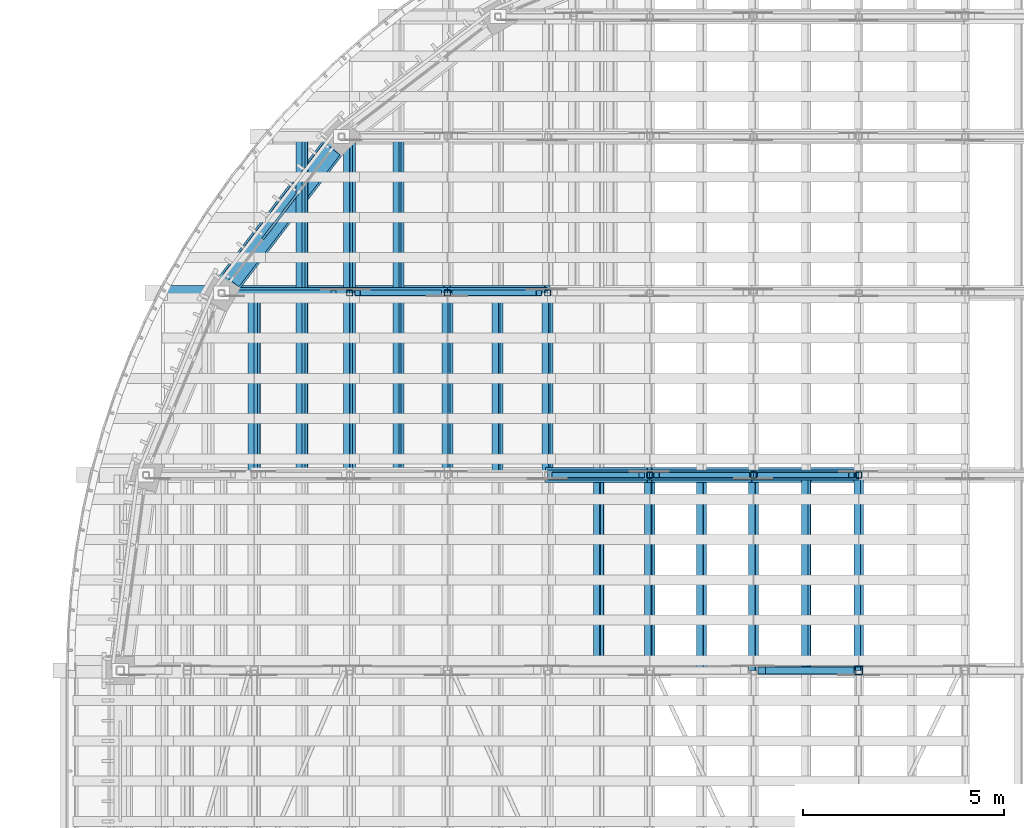
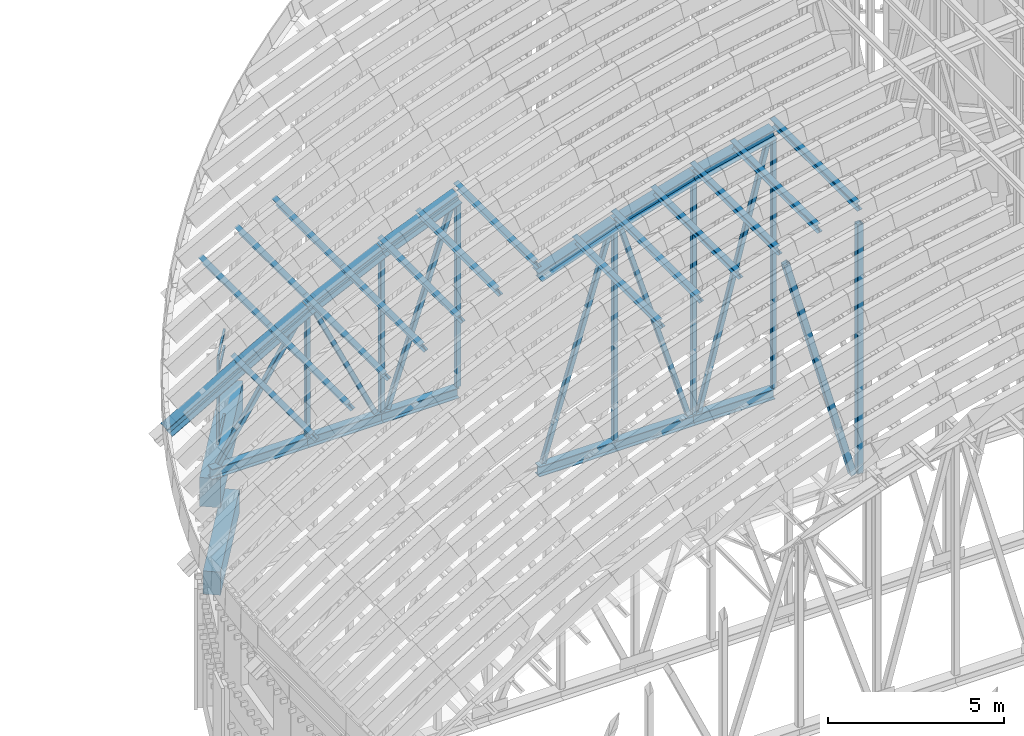
# One storey, part 21 of 105: 46 members, 2 beams, 1 element without a shape of its own.
"""IFC4 building model written with IfcOpenShell, lengths in metres."""

from ifc_helpers import new_model, si_unit, direction, frame, origin, origin_2d, place, context, subcontext, project, spatial, rectangle, hollow_rectangle, i_section, extrude, material, layer, layer_set, material_profile, profile_set, type_object, element, aggregate, save


model = new_model("IFC4")

# Units and contexts
model_context = context("Model", 3, precision=1e-05, world=origin(), true_north=direction((0.0, 1.0)))
body_context = subcontext(model_context, "Body", "Model", "MODEL_VIEW")
ifc_project = project(units=[si_unit("LENGTHUNIT", "METRE"), si_unit("AREAUNIT", "SQUARE_METRE"), si_unit("VOLUMEUNIT", "CUBIC_METRE"), si_unit("PLANEANGLEUNIT", "RADIAN"), si_unit("MASSUNIT", "GRAM", prefix="KILO")], contexts=[model_context])

# Site, building, storey
site_placement = place(None, origin())
site = spatial("IfcSite", under=ifc_project, at=site_placement, CompositionType="ELEMENT")
building_placement = place(site_placement, origin())
building = spatial("IfcBuilding", under=site, at=building_placement, Name="Wasatch Bagh Community Centre", CompositionType="ELEMENT")
storey_placement = place(building_placement, frame((0.0, 0.0, 16.800048828125)))
storey = spatial("IfcBuildingStorey", under=building, at=storey_placement, Name="L04", CompositionType="ELEMENT", Elevation=16.800048828125)

# Members
ifc_material_1 = material(Name="ASTM A500 Grade C steel", Category="steel")
ifc_material_profile_1 = material_profile(ifc_material_1, hollow_rectangle(XDim=0.15234375, YDim=0.15234375, WallThickness=0.0087890625, InnerFilletRadius=0.0087890625, OuterFilletRadius=0.017822265625, at=origin_2d()), Name="HSS6x6x3/8")
ifc_profile_set_1 = profile_set([ifc_material_profile_1], Name="ASTM A500 Grade C steel")
member_type_1 = type_object("IfcMemberType", Name="HSS6x6x3/8 brace", PredefinedType="BRACE", material=ifc_profile_set_1)
member_1_placement = place(storey_placement, frame((28.037353515625, 69.852783203125, 8.093017578125), z_axis=(0.289719392706, 0.0, 0.957111630632), x_axis=(0.0, 1.0, 0.0)))
element("IfcMember", 1, at=member_1_placement, inside=storey, type_object=member_type_1, Name="MH.TN1.WB05", PredefinedType="BRACE", context=body_context, shape_type="SweptSolid", body=[
    extrude(hollow_rectangle(XDim=0.15234375, YDim=0.15234375, WallThickness=0.0087890625, InnerFilletRadius=0.0087890625, OuterFilletRadius=0.017822265625, at=origin_2d()), origin(), (0.0, 0.0, 1.0), 7.45849609375),
])
member_2_placement = place(storey_placement, frame((32.79443359375, 69.852783203125, 8.09326171875), z_axis=(-0.291927052679, 0.0, 0.956440586714), x_axis=(0.0, -1.0, 0.0)))
element("IfcMember", 2, at=member_2_placement, inside=storey, type_object=member_type_1, Name="MH.TN1.WB06", PredefinedType="BRACE", context=body_context, shape_type="SweptSolid", body=[
    extrude(hollow_rectangle(XDim=0.15234375, YDim=0.15234375, WallThickness=0.0087890625, InnerFilletRadius=0.0087890625, OuterFilletRadius=0.017822265625, at=origin_2d()), origin(), (0.0, 0.0, 1.0), 7.6396484375),
])
member_3_placement = place(storey_placement, frame((33.14111328125, 69.852783203125, 8.090576171875), z_axis=(0.255877402939, 0.0, 0.966709239981), x_axis=(0.0, 1.0, 0.0)))
element("IfcMember", 3, at=member_3_placement, inside=storey, type_object=member_type_1, Name="MH.TN1.WB07", PredefinedType="BRACE", context=body_context, shape_type="SweptSolid", body=[
    extrude(hollow_rectangle(XDim=0.15234375, YDim=0.15234375, WallThickness=0.0087890625, InnerFilletRadius=0.0087890625, OuterFilletRadius=0.017822265625, at=origin_2d()), origin(), (0.0, 0.0, 1.0), 8.854248046875),
])
member_4_placement = place(storey_placement, frame((20.027587890625, 74.375, 8.112548828125), z_axis=(0.544069595645, 0.0, 0.83904009147), x_axis=(0.0, 1.0, 0.0)))
element("IfcMember", 4, at=member_4_placement, inside=storey, type_object=member_type_1, Name="MH.TN2.WB01", PredefinedType="BRACE", context=body_context, shape_type="SweptSolid", body=[
    extrude(hollow_rectangle(XDim=0.15234375, YDim=0.15234375, WallThickness=0.0087890625, InnerFilletRadius=0.0087890625, OuterFilletRadius=0.017822265625, at=origin_2d()), origin(), (0.0, 0.0, 1.0), 4.625),
])
member_5_placement = place(storey_placement, frame((25.15478515625, 74.375, 8.103515625), z_axis=(-0.42629430132, 0.0, 0.904584528202), x_axis=(0.0, -1.0, 0.0)))
element("IfcMember", 5, at=member_5_placement, inside=storey, type_object=member_type_1, Name="MH.TN2.WB02", PredefinedType="BRACE", context=body_context, shape_type="SweptSolid", body=[
    extrude(hollow_rectangle(XDim=0.15234375, YDim=0.15234375, WallThickness=0.0087890625, InnerFilletRadius=0.0087890625, OuterFilletRadius=0.017822265625, at=origin_2d()), origin(), (0.0, 0.0, 1.0), 4.728271484375),
])
member_6_placement = place(storey_placement, frame((25.55908203125, 74.375, 8.09521484375), z_axis=(0.318169383914, 0.0, 0.948033882907), x_axis=(0.0, 1.0, 0.0)))
element("IfcMember", 6, at=member_6_placement, inside=storey, type_object=member_type_1, Name="MH.TN2.WB03", PredefinedType="BRACE", context=body_context, shape_type="SweptSolid", body=[
    extrude(hollow_rectangle(XDim=0.15234375, YDim=0.15234375, WallThickness=0.0087890625, InnerFilletRadius=0.0087890625, OuterFilletRadius=0.017822265625, at=origin_2d()), origin(), (0.0, 0.0, 1.0), 6.5615234375),
])
ifc_material_profile_2 = material_profile(ifc_material_1, hollow_rectangle(XDim=0.15234375, YDim=0.15234375, WallThickness=0.0087890625, InnerFilletRadius=0.0087890625, OuterFilletRadius=0.017822265625, at=origin_2d()), Name="HSS6x6x3/8")
ifc_profile_set_2 = profile_set([ifc_material_profile_2], Name="ASTM A500 Grade C steel")
member_type_2 = type_object("IfcMemberType", Name="HSS6x6x3/8 post", PredefinedType="POST", material=ifc_profile_set_2)
member_7_placement = place(storey_placement, frame((30.39501953125, 69.852783203125, 8.070556640625), z_axis=(0.0, 0.0, 1.0), x_axis=(1.0, 0.0, 0.0)))
element("IfcMember", 7, at=member_7_placement, inside=storey, type_object=member_type_2, Name="MH.TN1.PS06", PredefinedType="POST", context=body_context, shape_type="SweptSolid", body=[
    extrude(hollow_rectangle(XDim=0.15234375, YDim=0.15234375, WallThickness=0.0087890625, InnerFilletRadius=0.0087890625, OuterFilletRadius=0.017822265625, at=origin_2d()), origin(), (0.0, 0.0, 1.0), 7.2509765625),
])
member_8_placement = place(storey_placement, frame((32.972412109375, 69.852783203125, 8.070556640625), z_axis=(0.0, 0.0, 1.0), x_axis=(1.0, 0.0, 0.0)))
element("IfcMember", 8, at=member_8_placement, inside=storey, type_object=member_type_2, Name="MH.TN1.PS07", PredefinedType="POST", context=body_context, shape_type="SweptSolid", body=[
    extrude(hollow_rectangle(XDim=0.15234375, YDim=0.15234375, WallThickness=0.0087890625, InnerFilletRadius=0.0087890625, OuterFilletRadius=0.017822265625, at=origin_2d()), origin(), (0.0, 0.0, 1.0), 8.013671875),
])
member_9_placement = place(storey_placement, frame((35.585205078125, 69.852783203125, 8.070556640625), z_axis=(0.0, 0.0, 1.0), x_axis=(1.0, 0.0, 0.0)))
element("IfcMember", 9, at=member_9_placement, inside=storey, type_object=member_type_2, Name="MH.TN1.PS08", PredefinedType="POST", context=body_context, shape_type="SweptSolid", body=[
    extrude(hollow_rectangle(XDim=0.15234375, YDim=0.15234375, WallThickness=0.0087890625, InnerFilletRadius=0.0087890625, OuterFilletRadius=0.017822265625, at=origin_2d()), origin(), (0.0, 0.0, 1.0), 8.64111328125),
])
member_10_placement = place(storey_placement, frame((22.943359375, 74.375, 8.070556640625), z_axis=(0.0, 0.0, 1.0), x_axis=(1.0, 0.0, 0.0)))
element("IfcMember", 10, at=member_10_placement, inside=storey, type_object=member_type_2, Name="MH.TN2.PS02", PredefinedType="POST", context=body_context, shape_type="SweptSolid", body=[
    extrude(hollow_rectangle(XDim=0.15234375, YDim=0.15234375, WallThickness=0.0087890625, InnerFilletRadius=0.0087890625, OuterFilletRadius=0.017822265625, at=origin_2d()), origin(), (0.0, 0.0, 1.0), 4.171875),
])
member_11_placement = place(storey_placement, frame((25.373779296875, 74.375, 8.070556640625), z_axis=(0.0, 0.0, 1.0), x_axis=(1.0, 0.0, 0.0)))
element("IfcMember", 11, at=member_11_placement, inside=storey, type_object=member_type_2, Name="MH.TN2.PS03", PredefinedType="POST", context=body_context, shape_type="SweptSolid", body=[
    extrude(hollow_rectangle(XDim=0.15234375, YDim=0.15234375, WallThickness=0.0087890625, InnerFilletRadius=0.0087890625, OuterFilletRadius=0.017822265625, at=origin_2d()), origin(), (0.0, 0.0, 1.0), 5.32763671875),
])
member_12_placement = place(storey_placement, frame((27.85986328125, 74.375, 8.070556640625), z_axis=(0.0, 0.0, 1.0), x_axis=(1.0, 0.0, 0.0)))
element("IfcMember", 12, at=member_12_placement, inside=storey, type_object=member_type_2, Name="MH.TN2.PS04", PredefinedType="POST", context=body_context, shape_type="SweptSolid", body=[
    extrude(hollow_rectangle(XDim=0.15234375, YDim=0.15234375, WallThickness=0.0087890625, InnerFilletRadius=0.0087890625, OuterFilletRadius=0.017822265625, at=origin_2d()), origin(), (0.0, 0.0, 1.0), 6.35498046875),
])
ifc_material_profile_3 = material_profile(ifc_material_1, hollow_rectangle(XDim=0.203125, YDim=0.203125, WallThickness=0.01171875, InnerFilletRadius=0.01171875, OuterFilletRadius=0.023681640625, at=origin_2d()), Name="HSS8x8x1/2")
ifc_profile_set_3 = profile_set([ifc_material_profile_3], Name="ASTM A500 Grade C steel")
member_type_3 = type_object("IfcMemberType", Name="HSS8x8x1/2 post", PredefinedType="POST", material=ifc_profile_set_3)
member_13_placement = place(storey_placement, frame((35.585205078125, 65.0, 8.070556640625), z_axis=(0.0, 0.0, 1.0), x_axis=(1.0, 0.0, 0.0)))
element("IfcMember", 13, at=member_13_placement, inside=storey, type_object=member_type_3, Name="MH.TA7.PS09", PredefinedType="POST", context=body_context, shape_type="SweptSolid", body=[
    extrude(hollow_rectangle(XDim=0.203125, YDim=0.203125, WallThickness=0.01171875, InnerFilletRadius=0.01171875, OuterFilletRadius=0.023681640625, at=origin_2d()), origin(), (0.0, 0.0, 1.0), 8.6220703125),
])
ifc_material_profile_4 = material_profile(ifc_material_1, hollow_rectangle(XDim=0.203125, YDim=0.203125, WallThickness=0.0087890625, InnerFilletRadius=0.0087890625, OuterFilletRadius=0.017822265625, at=origin_2d()), Name="HSS8x8x3/8")
ifc_profile_set_4 = profile_set([ifc_material_profile_4], Name="ASTM A500 Grade C steel")
member_type_4 = type_object("IfcMemberType", Name="HSS8x8x3/8 brace", PredefinedType="BRACE", material=ifc_profile_set_4)
member_14_placement = place(storey_placement, frame((35.3740234375, 65.0, 8.097900390625), z_axis=(-0.263471689833, 0.0, 0.964667128421), x_axis=(0.0, -1.0, 0.0)))
element("IfcMember", 14, at=member_14_placement, inside=storey, type_object=member_type_4, Name="MH.TA7.WB08", PredefinedType="BRACE", context=body_context, shape_type="SweptSolid", body=[
    extrude(hollow_rectangle(XDim=0.203125, YDim=0.203125, WallThickness=0.0087890625, InnerFilletRadius=0.0087890625, OuterFilletRadius=0.017822265625, at=origin_2d()), origin(), (0.0, 0.0, 1.0), 8.337890625),
])

# Curtain wall, members
ifc_material_2 = material(Name="Aluminium curtain wall frame with low-iron glass", Category="aluminium")
ifc_layer = layer(ifc_material_2, 0.10009765625)
ifc_layer_set = layer_set([ifc_layer], Name="Aluminium curtain wall frame with low-iron glass")
curtain_wall_type = type_object("IfcCurtainWallType", Name="MH end screen curtain wall 3", PredefinedType="NOTDEFINED", material=ifc_layer_set)
curtain_wall_placement = place(storey_placement, origin())
curtain_wall = element("IfcCurtainWall", 15, at=curtain_wall_placement, inside=storey, type_object=curtain_wall_type, Name="End screen 28", PredefinedType="NOTDEFINED")
ifc_material_3 = material(Name="Aluminium extrusion", Category="aluminium")
ifc_material_profile_5 = material_profile(ifc_material_3, rectangle(XDim=0.06005859375, YDim=0.159912109375, at=origin_2d()), Name="AL 60x160")
ifc_profile_set_5 = profile_set([ifc_material_profile_5], Name="Aluminium extrusion")
member_type_5 = type_object("IfcMemberType", Name="MH end screen mullion 60x160", PredefinedType="MULLION", material=ifc_profile_set_5)
member_15_placement = place(storey_placement, frame((20.833740234375, 75.771728515625, 7.699951171875), z_axis=(0.0, 0.0, 1.0), x_axis=(0.79335334027, -0.608761429036, 0.0)))
member_15 = element("IfcMember", 16, at=member_15_placement, type_object=member_type_5, Name="MH-CW3 mullion 3", PredefinedType="MULLION", context=body_context, shape_type="SweptSolid", body=[
    extrude(rectangle(XDim=0.06005859375, YDim=0.159912109375, at=origin_2d()), origin(), (0.0, 0.0, 1.0), 3.0),
])
ifc_material_profile_6 = material_profile(ifc_material_3, rectangle(XDim=0.06005859375, YDim=0.1201171875, at=origin_2d()), Name="AL 60x120")
ifc_profile_set_6 = profile_set([ifc_material_profile_6], Name="Aluminium extrusion")
member_type_6 = type_object("IfcMemberType", Name="MH end screen transom 60x120", PredefinedType="USERDEFINED", material=ifc_profile_set_6)
member_16_placement = place(storey_placement, frame((21.65185546875, 76.837890625, 7.72998046875), z_axis=(-0.608704562389, -0.793396972345, 0.0), x_axis=(0.793396972345, -0.608704562389, 0.0)))
member_16 = element("IfcMember", 17, at=member_16_placement, type_object=member_type_6, Name="MH-CW3 transom 2.1", ObjectType="TRANSOM", PredefinedType="USERDEFINED", context=body_context, shape_type="SweptSolid", body=[
    extrude(rectangle(XDim=0.06005859375, YDim=0.1201171875, at=origin_2d()), origin(), (0.0, 0.0, 1.0), 1.31396484375),
])
member_17_placement = place(storey_placement, frame((21.65185546875, 76.837890625, 10.099853515625), z_axis=(-0.608704562389, -0.793396972345, 0.0), x_axis=(0.793396972345, -0.608704562389, 0.0)))
member_17 = element("IfcMember", 18, at=member_17_placement, type_object=member_type_6, Name="MH-CW3 transom 2.2", ObjectType="TRANSOM", PredefinedType="USERDEFINED", context=body_context, shape_type="SweptSolid", body=[
    extrude(rectangle(XDim=0.06005859375, YDim=0.1201171875, at=origin_2d()), origin(), (0.0, 0.0, 1.0), 1.31396484375),
])
member_18_placement = place(storey_placement, frame((21.65185546875, 76.837890625, 10.669921875), z_axis=(-0.608704562389, -0.793396972345, 0.0), x_axis=(0.793396972345, -0.608704562389, 0.0)))
member_18 = element("IfcMember", 19, at=member_18_placement, type_object=member_type_6, Name="MH-CW3 transom 2.3", ObjectType="TRANSOM", PredefinedType="USERDEFINED", context=body_context, shape_type="SweptSolid", body=[
    extrude(rectangle(XDim=0.06005859375, YDim=0.1201171875, at=origin_2d()), origin(), (0.0, 0.0, 1.0), 1.31396484375),
])
aggregate(curtain_wall, [member_15, member_16, member_17, member_18])

# Beams
ifc_material_4 = material(Name="Concrete C35", Category="concrete")
ifc_material_profile_7 = material_profile(ifc_material_4, rectangle(XDim=0.5, YDim=0.800048828125, at=origin_2d()), Name="RC 500x800")
ifc_profile_set_7 = profile_set([ifc_material_profile_7], Name="Concrete C35")
beam_type_1 = type_object("IfcBeamType", Name="MH ring beam RC 500x800", PredefinedType="BEAM", material=ifc_profile_set_7)
beam_1_placement = place(storey_placement, frame((22.506591796875, 77.95166015625, 3.800048828125), z_axis=(-0.60877717335, -0.793341258985, 0.0), x_axis=(0.793341258985, -0.60877717335, 0.0)))
element("IfcBeam", 20, at=beam_1_placement, inside=storey, type_object=beam_type_1, Name="Ring beam 21.0 N9-N10", PredefinedType="BEAM", context=body_context, shape_type="SweptSolid", body=[
    extrude(rectangle(XDim=0.5, YDim=0.800048828125, at=origin_2d()), origin(), (0.0, 0.0, 1.0), 4.121826171875),
])
ifc_material_profile_8 = material_profile(ifc_material_4, rectangle(XDim=0.60009765625, YDim=1.0, at=origin_2d()), Name="RC 600x1000")
ifc_profile_set_8 = profile_set([ifc_material_profile_8], Name="Concrete C35")
beam_type_2 = type_object("IfcBeamType", Name="MH ring beam RC 600x1000", PredefinedType="BEAM", material=ifc_profile_set_8)
beam_2_placement = place(storey_placement, frame((22.74169921875, 78.25830078125, 7.199951171875), z_axis=(-0.608758193246, -0.793355823169, 0.0), x_axis=(0.793355823169, -0.608758193246, 0.0)))
element("IfcBeam", 21, at=beam_2_placement, inside=storey, type_object=beam_type_2, Name="Ring beam 24.5 N9-N10", PredefinedType="BEAM", context=body_context, shape_type="SweptSolid", body=[
    extrude(rectangle(XDim=0.60009765625, YDim=1.0, at=origin_2d()), origin(), (0.0, 0.0, 1.0), 4.894775390625),
])

# Members
ifc_material_5 = material(Name="ASTM A992 Grade 50 steel", Category="steel")
ifc_material_profile_9 = material_profile(ifc_material_5, i_section(OverallWidth=0.164794921875, OverallDepth=0.309814453125, WebThickness=0.005859375, FlangeThickness=0.009765625, at=origin_2d()), Name="W12x26")
ifc_profile_set_9 = profile_set([ifc_material_profile_9], Name="ASTM A992 Grade 50 steel")
member_type_7 = type_object("IfcMemberType", Name="W12x26 purlin", PredefinedType="PURLIN", material=ifc_profile_set_9)
for number, where, z_axis, x_axis, name in (
    (22, (29.12744140625, 65.0, 15.44580078125), (0.0, 1.0, 0.0), (-0.944194315577, 0.0, -0.329388971326), "MH.TA7-TN1.PU12"),
    (23, (30.39501953125, 65.0, 15.887939453125), (0.0, 1.0, 0.0), (-0.944194315577, 0.0, -0.329388971326), "MH.TA7-TN1.PU13"),
    (24, (31.683837890625, 65.0, 16.261474609375), (0.0, 1.0, 0.0), (-0.959937587317, 0.0, -0.280213897686), "MH.TA7-TN1.PU14"),
    (25, (32.972412109375, 65.0, 16.6376953125), (0.0, 1.0, 0.0), (-0.959937587317, 0.0, -0.280213897686), "MH.TA7-TN1.PU15"),
    (26, (34.27880859375, 65.0, 16.944580078125), (0.0, 1.0, 0.0), (-0.973121628566, 0.0, -0.23029176281), "MH.TA7-TN1.PU16"),
    (27, (35.585205078125, 65.0, 17.25390625), (0.0, 1.0, 0.0), (-0.973121628566, 0.0, -0.23029176281), "MH.TA7-TN1.PU17"),
):
    element("IfcMember", number, at=place(storey_placement, frame(where, z_axis=z_axis, x_axis=x_axis)), inside=storey, type_object=member_type_7, Name=name, PredefinedType="PURLIN", context=body_context, shape_type="SweptSolid", body=[
        extrude(i_section(OverallWidth=0.164794921875, OverallDepth=0.309814453125, WebThickness=0.005859375, FlangeThickness=0.009765625, at=origin_2d()), origin(), (0.0, 0.0, 1.0), 4.852783203125),
    ])
for number, where, z_axis, x_axis, name in (
    (28, (20.5751953125, 69.852783203125, 11.600341796875), (0.0, 1.0, 0.0), (-0.856568211081, 0.0, -0.516033816494), "MH.TN1-TN2.PU02"),
    (29, (21.75927734375, 69.852783203125, 12.2275390625), (0.0, 1.0, 0.0), (-0.882062247877, 0.0, -0.471132880269), "MH.TN1-TN2.PU03"),
    (30, (22.943359375, 69.852783203125, 12.860107421875), (0.0, 1.0, 0.0), (-0.882062247877, 0.0, -0.471132880269), "MH.TN1-TN2.PU04"),
    (31, (24.15869140625, 69.852783203125, 13.426025390625), (0.0, 1.0, 0.0), (-0.905204669284, 0.0, -0.424975889559), "MH.TN1-TN2.PU05"),
    (32, (25.373779296875, 69.852783203125, 13.99658203125), (0.0, 1.0, 0.0), (-0.905204669284, 0.0, -0.424975889559), "MH.TN1-TN2.PU06"),
    (33, (26.616943359375, 69.852783203125, 14.499755859375), (0.0, 1.0, 0.0), (-0.925933779633, 0.0, -0.377685895599), "MH.TN1-TN2.PU07"),
    (34, (27.85986328125, 69.852783203125, 15.0068359375), (0.0, 1.0, 0.0), (-0.925933779633, 0.0, -0.377685895599), "MH.TN1-TN2.PU08"),
):
    element("IfcMember", number, at=place(storey_placement, frame(where, z_axis=z_axis, x_axis=x_axis)), inside=storey, type_object=member_type_7, Name=name, PredefinedType="PURLIN", context=body_context, shape_type="SweptSolid", body=[
        extrude(i_section(OverallWidth=0.164794921875, OverallDepth=0.309814453125, WebThickness=0.005859375, FlangeThickness=0.009765625, at=origin_2d()), origin(), (0.0, 0.0, 1.0), 4.522216796875),
    ])
for number, where, z_axis, x_axis, name in (
    (35, (21.75927734375, 74.375, 12.2275390625), (0.0, 1.0, 0.0), (-0.882062247877, 0.0, -0.471132880269), "MH.TN2-TN3.PU01"),
    (36, (22.943359375, 74.375, 12.860107421875), (0.0, 1.0, 0.0), (-0.882062247877, 0.0, -0.471132880269), "MH.TN2-TN3.PU02"),
    (37, (24.15869140625, 74.375, 13.426025390625), (0.0, 1.0, 0.0), (-0.905204669284, 0.0, -0.424975889559), "MH.TN2-TN3.PU03"),
):
    element("IfcMember", number, at=place(storey_placement, frame(where, z_axis=z_axis, x_axis=x_axis)), inside=storey, type_object=member_type_7, Name=name, PredefinedType="PURLIN", context=body_context, shape_type="SweptSolid", body=[
        extrude(i_section(OverallWidth=0.164794921875, OverallDepth=0.309814453125, WebThickness=0.005859375, FlangeThickness=0.009765625, at=origin_2d()), origin(), (0.0, 0.0, 1.0), 3.88330078125),
    ])
ifc_material_profile_10 = material_profile(ifc_material_5, i_section(OverallWidth=0.25390625, OverallDepth=0.355712890625, WebThickness=0.010498046875, FlangeThickness=0.018310546875, at=origin_2d()), Name="W14x68")
ifc_profile_set_10 = profile_set([ifc_material_profile_10], Name="ASTM A992 Grade 50 steel")
member_type_8 = type_object("IfcMemberType", Name="W14x68 chord", PredefinedType="CHORD", material=ifc_profile_set_10)
member_19_placement = place(storey_placement, frame((27.85986328125, 69.852783203125, 7.892822265625), z_axis=(1.0, 0.0, 0.0), x_axis=(0.0, 1.0, 0.0)))
element("IfcMember", 38, at=member_19_placement, inside=storey, type_object=member_type_8, Name="MH.TN1.BC05", PredefinedType="CHORD", context=body_context, shape_type="SweptSolid", body=[
    extrude(i_section(OverallWidth=0.25390625, OverallDepth=0.355712890625, WebThickness=0.010498046875, FlangeThickness=0.018310546875, at=origin_2d()), origin(), (0.0, 0.0, 1.0), 2.53515625),
])
member_20_placement = place(storey_placement, frame((30.39501953125, 69.852783203125, 7.892822265625), z_axis=(1.0, 0.0, 0.0), x_axis=(0.0, 1.0, 0.0)))
element("IfcMember", 39, at=member_20_placement, inside=storey, type_object=member_type_8, Name="MH.TN1.BC06", PredefinedType="CHORD", context=body_context, shape_type="SweptSolid", body=[
    extrude(i_section(OverallWidth=0.25390625, OverallDepth=0.355712890625, WebThickness=0.010498046875, FlangeThickness=0.018310546875, at=origin_2d()), origin(), (0.0, 0.0, 1.0), 2.577392578125),
])
member_21_placement = place(storey_placement, frame((32.972412109375, 69.852783203125, 7.892822265625), z_axis=(1.0, 0.0, 0.0), x_axis=(0.0, 1.0, 0.0)))
element("IfcMember", 40, at=member_21_placement, inside=storey, type_object=member_type_8, Name="MH.TN1.BC07", PredefinedType="CHORD", context=body_context, shape_type="SweptSolid", body=[
    extrude(i_section(OverallWidth=0.25390625, OverallDepth=0.355712890625, WebThickness=0.010498046875, FlangeThickness=0.018310546875, at=origin_2d()), origin(), (0.0, 0.0, 1.0), 2.61279296875),
])
member_22_placement = place(storey_placement, frame((19.761962890625, 74.375, 7.892822265625), z_axis=(1.0, 0.0, 0.0), x_axis=(0.0, 1.0, 0.0)))
element("IfcMember", 41, at=member_22_placement, inside=storey, type_object=member_type_8, Name="MH.TN2.BC01", PredefinedType="CHORD", context=body_context, shape_type="SweptSolid", body=[
    extrude(i_section(OverallWidth=0.25390625, OverallDepth=0.355712890625, WebThickness=0.010498046875, FlangeThickness=0.018310546875, at=origin_2d()), origin(), (0.0, 0.0, 1.0), 3.181396484375),
])
member_23_placement = place(storey_placement, frame((22.943359375, 74.375, 7.892822265625), z_axis=(1.0, 0.0, 0.0), x_axis=(0.0, 1.0, 0.0)))
element("IfcMember", 42, at=member_23_placement, inside=storey, type_object=member_type_8, Name="MH.TN2.BC02", PredefinedType="CHORD", context=body_context, shape_type="SweptSolid", body=[
    extrude(i_section(OverallWidth=0.25390625, OverallDepth=0.355712890625, WebThickness=0.010498046875, FlangeThickness=0.018310546875, at=origin_2d()), origin(), (0.0, 0.0, 1.0), 2.430419921875),
])
member_24_placement = place(storey_placement, frame((25.373779296875, 74.375, 7.892822265625), z_axis=(1.0, 0.0, 0.0), x_axis=(0.0, 1.0, 0.0)))
element("IfcMember", 43, at=member_24_placement, inside=storey, type_object=member_type_8, Name="MH.TN2.BC03", PredefinedType="CHORD", context=body_context, shape_type="SweptSolid", body=[
    extrude(i_section(OverallWidth=0.25390625, OverallDepth=0.355712890625, WebThickness=0.010498046875, FlangeThickness=0.018310546875, at=origin_2d()), origin(), (0.0, 0.0, 1.0), 2.486083984375),
])
ifc_material_profile_11 = material_profile(ifc_material_5, i_section(OverallWidth=0.368408203125, OverallDepth=0.355712890625, WebThickness=0.01123046875, FlangeThickness=0.01806640625, at=origin_2d()), Name="W14x90")
ifc_profile_set_11 = profile_set([ifc_material_profile_11], Name="ASTM A992 Grade 50 steel")
member_type_9 = type_object("IfcMemberType", Name="W14x90 chord", PredefinedType="CHORD", material=ifc_profile_set_11)
member_25_placement = place(storey_placement, frame((27.86474609375, 69.852783203125, 14.651123046875), z_axis=(0.943812827742, 0.0, 0.330480477773), x_axis=(0.0, 1.0, 0.0)))
element("IfcMember", 44, at=member_25_placement, inside=storey, type_object=member_type_9, Name="MH.TN1.TC07", PredefinedType="CHORD", context=body_context, shape_type="SweptSolid", body=[
    extrude(i_section(OverallWidth=0.368408203125, OverallDepth=0.355712890625, WebThickness=0.01123046875, FlangeThickness=0.01806640625, at=origin_2d()), origin(), (0.0, 0.0, 1.0), 2.67578125),
])
for number, where, z_axis, x_axis, name in (
    (45, (30.39990234375, 69.852783203125, 15.53857421875), (0.959642555684, 0.0, 0.281222625903), (0.0, 1.0, 0.0), "MH.TN1.TC08"),
    (46, (32.977294921875, 69.852783203125, 16.29345703125), (0.972941166496, 0.0, 0.231052995082), (0.0, 1.0, 0.0), "MH.TN1.TC09"),
):
    element("IfcMember", number, at=place(storey_placement, frame(where, z_axis=z_axis, x_axis=x_axis)), inside=storey, type_object=member_type_9, Name=name, PredefinedType="CHORD", context=body_context, shape_type="SweptSolid", body=[
        extrude(i_section(OverallWidth=0.368408203125, OverallDepth=0.355712890625, WebThickness=0.01123046875, FlangeThickness=0.01806640625, at=origin_2d()), origin(), (0.0, 0.0, 1.0), 2.675537109375),
    ])
member_26_placement = place(storey_placement, frame((18.338134765625, 74.375, 9.8642578125), z_axis=(0.869067781623, 0.0, 0.494693026982), x_axis=(0.0, 1.0, 0.0)))
element("IfcMember", 47, at=member_26_placement, inside=storey, type_object=member_type_9, Name="MH.TN2.TC01", PredefinedType="CHORD", context=body_context, shape_type="SweptSolid", body=[
    extrude(i_section(OverallWidth=0.368408203125, OverallDepth=0.355712890625, WebThickness=0.01123046875, FlangeThickness=0.01806640625, at=origin_2d()), origin(), (0.0, 0.0, 1.0), 5.2939453125),
])
member_27_placement = place(storey_placement, frame((22.947998046875, 74.375, 12.487548828125), z_axis=(0.904495989903, 0.0, 0.426482126529), x_axis=(0.0, 1.0, 0.0)))
element("IfcMember", 48, at=member_27_placement, inside=storey, type_object=member_type_9, Name="MH.TN2.TC04", PredefinedType="CHORD", context=body_context, shape_type="SweptSolid", body=[
    extrude(i_section(OverallWidth=0.368408203125, OverallDepth=0.355712890625, WebThickness=0.01123046875, FlangeThickness=0.01806640625, at=origin_2d()), origin(), (0.0, 0.0, 1.0), 2.6767578125),
])
member_28_placement = place(storey_placement, frame((25.378662109375, 74.375, 13.63330078125), z_axis=(0.92541320561, 0.0, 0.378959626982), x_axis=(0.0, 1.0, 0.0)))
element("IfcMember", 49, at=member_28_placement, inside=storey, type_object=member_type_9, Name="MH.TN2.TC05", PredefinedType="CHORD", context=body_context, shape_type="SweptSolid", body=[
    extrude(i_section(OverallWidth=0.368408203125, OverallDepth=0.355712890625, WebThickness=0.01123046875, FlangeThickness=0.01806640625, at=origin_2d()), origin(), (0.0, 0.0, 1.0), 2.67626953125),
])

save(model, "model.ifc")
